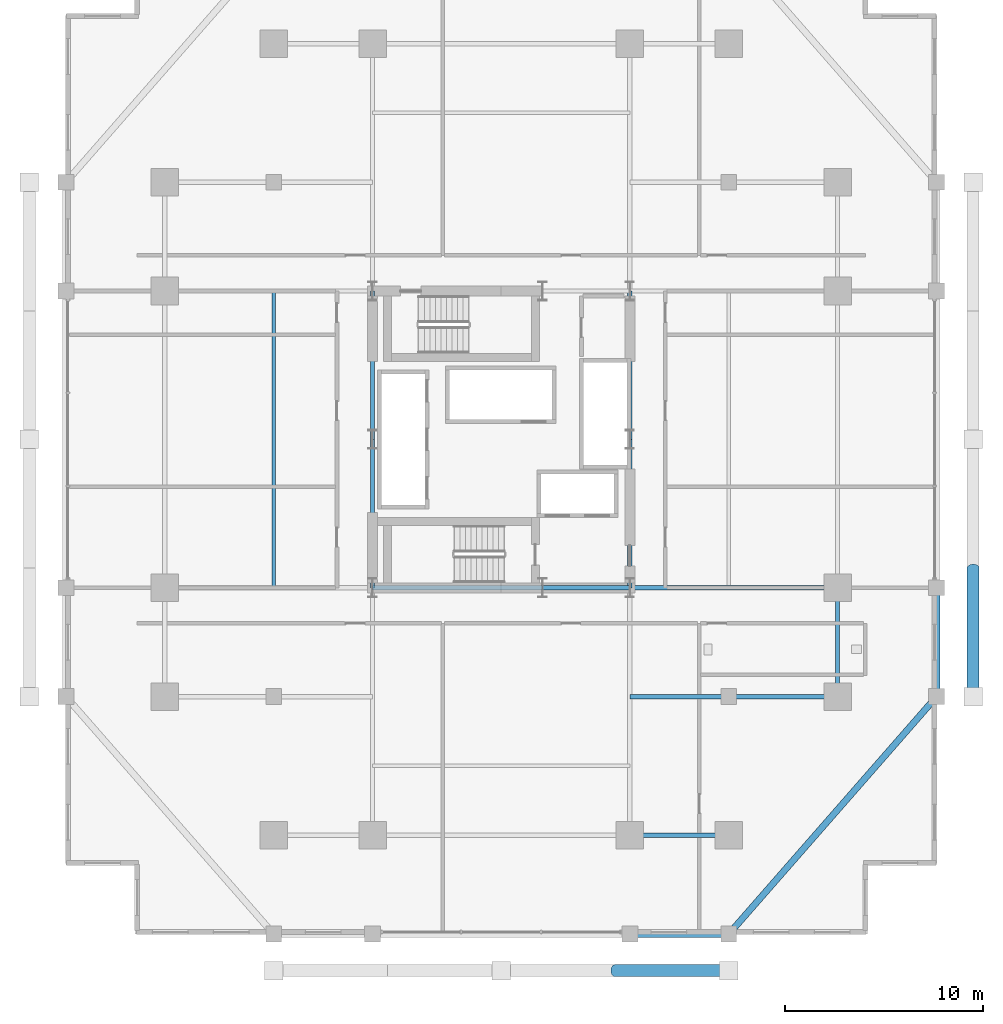
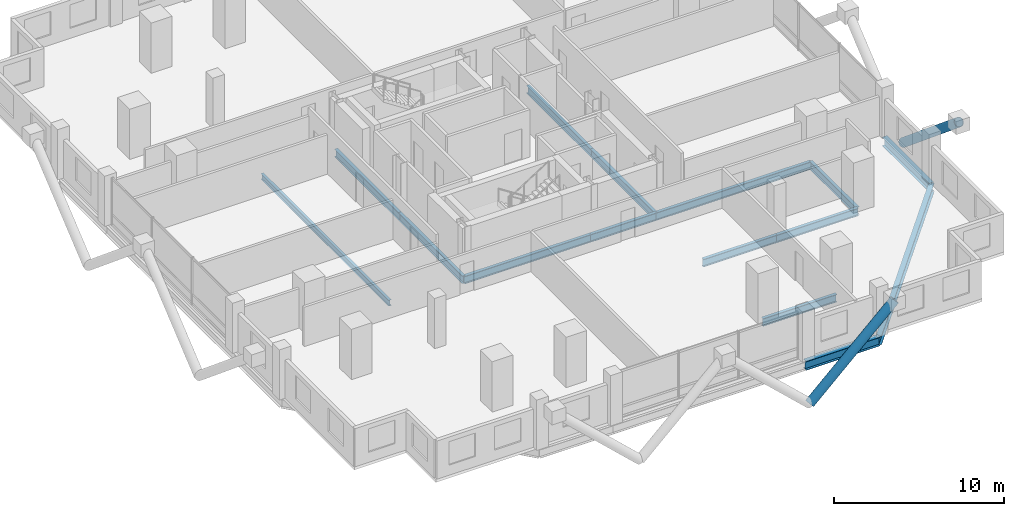
# One storey, part 7 of 21: 15 beams, 2 members.
"""IFC4 building model written with IfcOpenShell, lengths in metres."""

from ifc_helpers import new_model, si_unit, direction, frame, origin, origin_2d, place, context, subcontext, project, spatial, hollow_circle, i_section, extrude, material, material_profile, profile_set, type_object, element, save


model = new_model("IFC4")

# Units and contexts
model_context = context("Model", 3, precision=1e-05, world=origin(), true_north=direction((0.0, 1.0)))
body_context = subcontext(model_context, "Body", "Model", "MODEL_VIEW")
ifc_project = project(units=[si_unit("LENGTHUNIT", "METRE"), si_unit("AREAUNIT", "SQUARE_METRE"), si_unit("VOLUMEUNIT", "CUBIC_METRE"), si_unit("PLANEANGLEUNIT", "RADIAN"), si_unit("MASSUNIT", "GRAM", prefix="KILO")], contexts=[model_context])

# Site, building, storey
site_placement = place(None, origin())
site = spatial("IfcSite", under=ifc_project, at=site_placement, CompositionType="ELEMENT")
building_placement = place(site_placement, origin())
building = spatial("IfcBuilding", under=site, at=building_placement, Name="Barlavira Tower and Art Museum", CompositionType="ELEMENT")
storey_placement = place(building_placement, frame((0.0, 0.0, 79.199951171875)))
storey = spatial("IfcBuildingStorey", under=building, at=storey_placement, Name="L19", CompositionType="ELEMENT", Elevation=79.199951171875)

# Members
ifc_material = material(Name="Steel S355", Category="steel")
ifc_material_profile_1 = material_profile(ifc_material, hollow_circle(Radius=0.304931640625, WallThickness=0.028076171875, at=origin_2d()), Name="CHS 610.0x28.0")
ifc_profile_set_1 = profile_set([ifc_material_profile_1], Name="Steel S355")
member_type = type_object("IfcMemberType", Name="Pale-Metal Exoskeleton Diagrid Tube CHS 610x28 Steel S355", PredefinedType="BRACE", material=ifc_profile_set_1)
member_1_placement = place(storey_placement, frame((5.75, -26.85009765625, -1.919921875), z_axis=(0.728950095515, 0.0, 0.684566839869), x_axis=(0.0, 1.0, 0.0)))
element("IfcMember", 1, at=member_1_placement, inside=storey, type_object=member_type, Name="L19 Exoskeleton Diagrid Tube S", PredefinedType="BRACE", context=body_context, shape_type="SweptSolid", body=[
    extrude(hollow_circle(Radius=0.304931640625, WallThickness=0.028076171875, at=origin_2d()), origin(), (0.0, 0.0, 1.0), 7.887939453125),
])
member_2_placement = place(storey_placement, frame((23.85009765625, -6.5, -1.919921875), z_axis=(0.0, -0.769196053329, 0.639012857104), x_axis=(1.0, 0.0, 0.0)))
element("IfcMember", 2, at=member_2_placement, inside=storey, type_object=member_type, Name="L19 Exoskeleton Diagrid Tube E", PredefinedType="BRACE", context=body_context, shape_type="SweptSolid", body=[
    extrude(hollow_circle(Radius=0.304931640625, WallThickness=0.028076171875, at=origin_2d()), origin(), (0.0, 0.0, 1.0), 8.450439453125),
])

# Beams
ifc_material_profile_2 = material_profile(ifc_material, i_section(OverallWidth=0.327880859375, OverallDepth=0.62890625, WebThickness=0.013916015625, FlangeThickness=0.021484375, at=origin_2d()), Name="W610x174.0")
ifc_profile_set_2 = profile_set([ifc_material_profile_2], Name="Steel S355")
beam_type_1 = type_object("IfcBeamType", Name="Perimeter Spandrel Edge Beam W610x174 Steel S355", PredefinedType="SPANDREL", material=ifc_profile_set_2)
beam_1_placement = place(storey_placement, frame((6.5, -25.0, -0.534423828125), z_axis=(1.0, 0.0, 0.0), x_axis=(0.0, 1.0, 0.0)))
element("IfcBeam", 3, at=beam_1_placement, inside=storey, type_object=beam_type_1, Name="L19 Spandrel 3", PredefinedType="SPANDREL", context=body_context, shape_type="SweptSolid", body=[
    extrude(i_section(OverallWidth=0.327880859375, OverallDepth=0.62890625, WebThickness=0.013916015625, FlangeThickness=0.021484375, at=origin_2d()), origin(), (0.0, 0.0, 1.0), 5.0),
])
beam_2_placement = place(storey_placement, frame((11.5, -25.0, -0.534423828125), z_axis=(0.658504607869, 0.752576694707, 0.0), x_axis=(-0.752576694707, 0.658504607869, 0.0)))
element("IfcBeam", 4, at=beam_2_placement, inside=storey, type_object=beam_type_1, Name="L19 Spandrel 4", PredefinedType="SPANDREL", context=body_context, shape_type="SweptSolid", body=[
    extrude(i_section(OverallWidth=0.327880859375, OverallDepth=0.62890625, WebThickness=0.013916015625, FlangeThickness=0.021484375, at=origin_2d()), origin(), (0.0, 0.0, 1.0), 15.9453125),
])
beam_3_placement = place(storey_placement, frame((22.0, -13.0, -0.534423828125), z_axis=(0.0, 1.0, 0.0), x_axis=(-1.0, 0.0, 0.0)))
element("IfcBeam", 5, at=beam_3_placement, inside=storey, type_object=beam_type_1, Name="L19 Spandrel 5", PredefinedType="SPANDREL", context=body_context, shape_type="SweptSolid", body=[
    extrude(i_section(OverallWidth=0.327880859375, OverallDepth=0.62890625, WebThickness=0.013916015625, FlangeThickness=0.021484375, at=origin_2d()), origin(), (0.0, 0.0, 1.0), 5.5),
])
ifc_material_profile_3 = material_profile(ifc_material, i_section(OverallWidth=0.180908203125, OverallDepth=0.4169921875, WebThickness=0.010986328125, FlangeThickness=0.018310546875, at=origin_2d()), Name="W410x85.0")
ifc_profile_set_3 = profile_set([ifc_material_profile_3], Name="Steel S355")
beam_type_2 = type_object("IfcBeamType", Name="Zone 1 Composite Floor Joist W410x85 Steel S355", PredefinedType="JOIST", material=ifc_profile_set_3)
beam_4_placement = place(storey_placement, frame((-11.5, -7.5, -0.428466796875), z_axis=(0.0, 1.0, 0.0), x_axis=(-1.0, 0.0, 0.0)))
element("IfcBeam", 6, at=beam_4_placement, inside=storey, type_object=beam_type_2, Name="L19 Joist W1", PredefinedType="JOIST", context=body_context, shape_type="SweptSolid", body=[
    extrude(i_section(OverallWidth=0.180908203125, OverallDepth=0.4169921875, WebThickness=0.010986328125, FlangeThickness=0.018310546875, at=origin_2d()), origin(), (0.0, 0.0, 1.0), 15.0),
])
ifc_material_profile_4 = material_profile(ifc_material, i_section(OverallWidth=0.214111328125, OverallDepth=0.549072265625, WebThickness=0.0146484375, FlangeThickness=0.023681640625, at=origin_2d()), Name="W530x138.0")
ifc_profile_set_4 = profile_set([ifc_material_profile_4], Name="Steel S355")
beam_type_3 = type_object("IfcBeamType", Name="Zone 1 Primary Floor Girder W530x138 Steel S355", PredefinedType="BEAM", material=ifc_profile_set_4)
beam_5_placement = place(storey_placement, frame((-6.5, -7.5, -0.494384765625), z_axis=(1.0, 0.0, 0.0), x_axis=(0.0, 1.0, 0.0)))
element("IfcBeam", 7, at=beam_5_placement, inside=storey, type_object=beam_type_3, Name="L19 Girder C-S1", PredefinedType="BEAM", context=body_context, shape_type="SweptSolid", body=[
    extrude(i_section(OverallWidth=0.214111328125, OverallDepth=0.549072265625, WebThickness=0.0146484375, FlangeThickness=0.023681640625, at=origin_2d()), origin(), (0.0, 0.0, 1.0), 8.580078125),
])
beam_6_placement = place(storey_placement, frame((2.080078125, -7.5, -0.494384765625), z_axis=(1.0, 0.0, 0.0), x_axis=(0.0, 1.0, 0.0)))
element("IfcBeam", 8, at=beam_6_placement, inside=storey, type_object=beam_type_3, Name="L19 Girder C-S2", PredefinedType="BEAM", context=body_context, shape_type="SweptSolid", body=[
    extrude(i_section(OverallWidth=0.214111328125, OverallDepth=0.549072265625, WebThickness=0.0146484375, FlangeThickness=0.023681640625, at=origin_2d()), origin(), (0.0, 0.0, 1.0), 4.419921875),
])
for number, where, z_axis, x_axis, name in (
    (9, (-6.5, -7.5, -0.494384765625), (0.0, 1.0, 0.0), (-1.0, 0.0, 0.0), "L19 Girder C-W1"),
    (10, (-6.5, 0.0, -0.494384765625), (0.0, 1.0, 0.0), (-1.0, 0.0, 0.0), "L19 Girder C-W2"),
    (11, (6.5, -7.5, -0.494384765625), (0.0, 1.0, 0.0), (-1.0, 0.0, 0.0), "L19 Girder C-E1"),
    (12, (6.5, 0.0, -0.494384765625), (0.0, 1.0, 0.0), (-1.0, 0.0, 0.0), "L19 Girder C-E2"),
):
    element("IfcBeam", number, at=place(storey_placement, frame(where, z_axis=z_axis, x_axis=x_axis)), inside=storey, type_object=beam_type_3, Name=name, PredefinedType="BEAM", context=body_context, shape_type="SweptSolid", body=[
        extrude(i_section(OverallWidth=0.214111328125, OverallDepth=0.549072265625, WebThickness=0.0146484375, FlangeThickness=0.023681640625, at=origin_2d()), origin(), (0.0, 0.0, 1.0), 7.5),
    ])
beam_7_placement = place(storey_placement, frame((6.5, -20.0, -0.494384765625), z_axis=(1.0, 0.0, 0.0), x_axis=(0.0, 1.0, 0.0)))
element("IfcBeam", 13, at=beam_7_placement, inside=storey, type_object=beam_type_3, Name="L19 Girder M-S3", PredefinedType="BEAM", context=body_context, shape_type="SweptSolid", body=[
    extrude(i_section(OverallWidth=0.214111328125, OverallDepth=0.549072265625, WebThickness=0.0146484375, FlangeThickness=0.023681640625, at=origin_2d()), origin(), (0.0, 0.0, 1.0), 5.0),
])
beam_8_placement = place(storey_placement, frame((17.0, -13.0, -0.494384765625), z_axis=(0.0, 1.0, 0.0), x_axis=(-1.0, 0.0, 0.0)))
element("IfcBeam", 14, at=beam_8_placement, inside=storey, type_object=beam_type_3, Name="L19 Girder M-E1", PredefinedType="BEAM", context=body_context, shape_type="SweptSolid", body=[
    extrude(i_section(OverallWidth=0.214111328125, OverallDepth=0.549072265625, WebThickness=0.0146484375, FlangeThickness=0.023681640625, at=origin_2d()), origin(), (0.0, 0.0, 1.0), 5.5),
])
beam_9_placement = place(storey_placement, frame((6.5, -7.5, -0.494384765625), z_axis=(1.0, 0.0, 0.0), x_axis=(0.0, 1.0, 0.0)))
element("IfcBeam", 15, at=beam_9_placement, inside=storey, type_object=beam_type_3, Name="L19 Girder R-E1", PredefinedType="BEAM", context=body_context, shape_type="SweptSolid", body=[
    extrude(i_section(OverallWidth=0.214111328125, OverallDepth=0.549072265625, WebThickness=0.0146484375, FlangeThickness=0.023681640625, at=origin_2d()), origin(), (0.0, 0.0, 1.0), 10.5),
])
beam_10_placement = place(storey_placement, frame((6.5, -13.0, -0.494384765625), z_axis=(1.0, 0.0, 0.0), x_axis=(0.0, 1.0, 0.0)))
element("IfcBeam", 16, at=beam_10_placement, inside=storey, type_object=beam_type_3, Name="L19 Girder I-S3", PredefinedType="BEAM", context=body_context, shape_type="SweptSolid", body=[
    extrude(i_section(OverallWidth=0.214111328125, OverallDepth=0.549072265625, WebThickness=0.0146484375, FlangeThickness=0.023681640625, at=origin_2d()), origin(), (0.0, 0.0, 1.0), 5.0),
])
beam_11_placement = place(storey_placement, frame((11.5, -13.0, -0.494384765625), z_axis=(1.0, 0.0, 0.0), x_axis=(0.0, 1.0, 0.0)))
element("IfcBeam", 17, at=beam_11_placement, inside=storey, type_object=beam_type_3, Name="L19 Girder I-S4", PredefinedType="BEAM", context=body_context, shape_type="SweptSolid", body=[
    extrude(i_section(OverallWidth=0.214111328125, OverallDepth=0.549072265625, WebThickness=0.0146484375, FlangeThickness=0.023681640625, at=origin_2d()), origin(), (0.0, 0.0, 1.0), 5.5),
])

save(model, "model.ifc")
